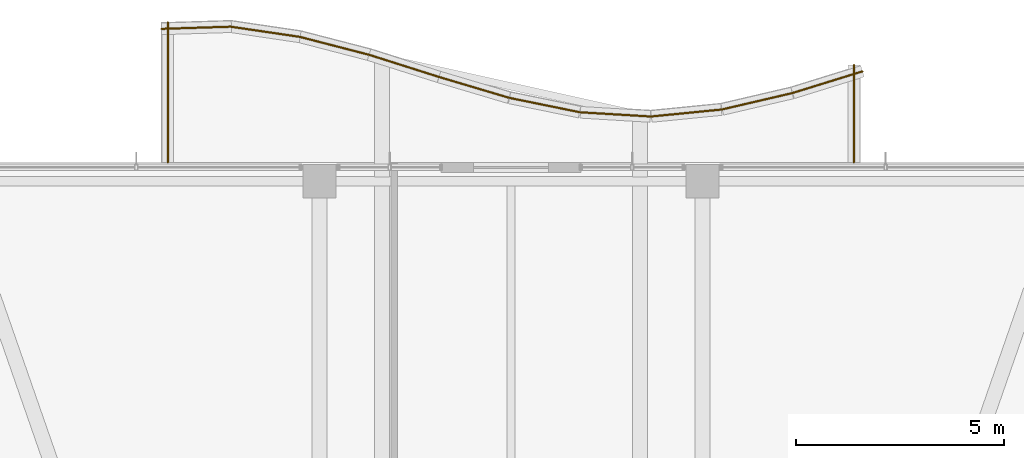
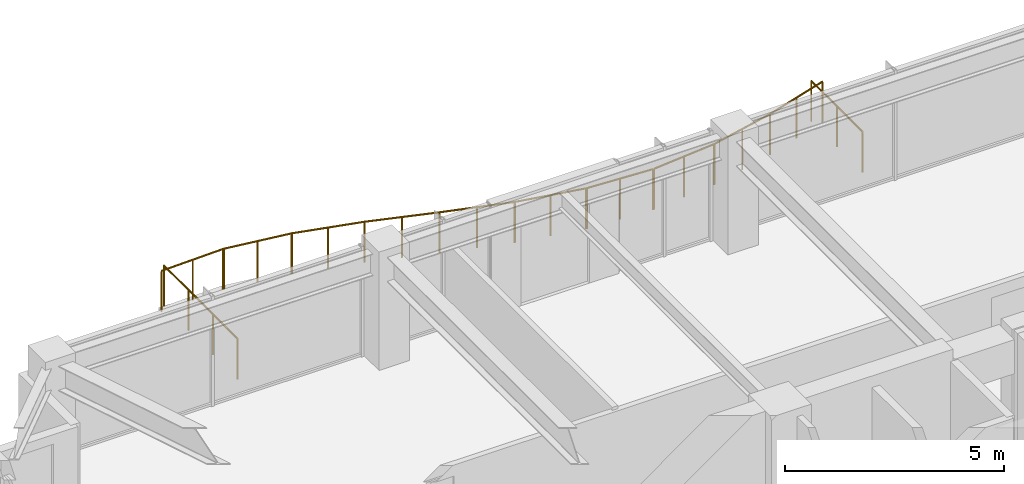
# One storey, part 36 of 36: 12 railings.
"""IFC4 building model written with IfcOpenShell, lengths in metres."""

from ifc_helpers import new_model, si_unit, direction, frame, origin, origin_2d, place, context, subcontext, project, spatial, circle, extrude, material, type_object, element, save


model = new_model("IFC4")

# Units and contexts
model_context = context("Model", 3, precision=1e-05, world=origin(), true_north=direction((0.0, 1.0)))
body_context = subcontext(model_context, "Body", "Model", "MODEL_VIEW")
ifc_project = project(units=[si_unit("LENGTHUNIT", "METRE"), si_unit("AREAUNIT", "SQUARE_METRE"), si_unit("VOLUMEUNIT", "CUBIC_METRE"), si_unit("PLANEANGLEUNIT", "RADIAN"), si_unit("MASSUNIT", "GRAM", prefix="KILO")], contexts=[model_context])

# Site, building, storey
site_placement = place(None, origin())
site = spatial("IfcSite", under=ifc_project, at=site_placement, CompositionType="ELEMENT")
building_placement = place(site_placement, origin())
building = spatial("IfcBuilding", under=site, at=building_placement, Name="Kolvaren Belvedere", CompositionType="ELEMENT")
storey_placement = place(building_placement, frame((0.0, 0.0, 193.199951171875)))
storey = spatial("IfcBuildingStorey", under=building, at=storey_placement, Name="L56", CompositionType="ELEMENT", Elevation=193.199951171875)

# Railings
ifc_material = material(Name="Anodised pale-metal aluminium & laminated glass guard", Category="aluminium")
railing_type = type_object("IfcRailingType", Name="RL-GUARD-1150", PredefinedType="GUARDRAIL", material=ifc_material)
railing_1_placement = place(storey_placement, frame((8.239990234375, 20.39990234375, 0.380126953125)))
element("IfcRailing", 1, at=railing_1_placement, inside=storey, type_object=railing_type, Name="L56 Exterior Deck Safety Guard BAL-N-11", PredefinedType="GUARDRAIL", context=body_context, shape_type="SweptSolid", body=[
    extrude(circle(Radius=0.02392578125, at=origin_2d()), frame((0.0, 0.0, 1.1259765625), z_axis=(0.0, 1.0, 0.0), x_axis=(-1.0, 0.0, 0.0)), (0.0, 0.0, 1.0), 2.340087890625),
    extrude(circle(Radius=0.02099609375, at=origin_2d()), origin(), (0.0, 0.0, 1.0), 1.101806640625),
    extrude(circle(Radius=0.02099609375, at=origin_2d()), frame((0.0, 1.169921875, 0.0)), (0.0, 0.0, 1.0), 1.101806640625),
    extrude(circle(Radius=0.02099609375, at=origin_2d()), frame((0.0, 2.340087890625, 0.0)), (0.0, 0.0, 1.0), 1.101806640625),
])
railing_2_placement = place(storey_placement, frame((8.447265625, 22.587158203125, 0.380126953125)))
element("IfcRailing", 2, at=railing_2_placement, inside=storey, type_object=railing_type, Name="L56 Exterior Deck Safety Guard BAL-N-12", PredefinedType="GUARDRAIL", context=body_context, shape_type="SweptSolid", body=[
    extrude(circle(Radius=0.02392578125, at=origin_2d()), frame((0.0, 0.0, 1.1259765625), z_axis=(-0.95524013163, -0.295831524561, 0.0), x_axis=(0.295831524561, -0.95524013163, 0.0)), (0.0, 0.0, 1.0), 1.758544921875),
    extrude(circle(Radius=0.02099609375, at=origin_2d()), origin(), (0.0, 0.0, 1.0), 1.101806640625),
    extrude(circle(Radius=0.02099609375, at=origin_2d()), frame((-0.83984375, -0.26025390625, 0.0)), (0.0, 0.0, 1.0), 1.101806640625),
    extrude(circle(Radius=0.02099609375, at=origin_2d()), frame((-1.679931640625, -0.520263671875, 0.0)), (0.0, 0.0, 1.0), 1.101806640625),
])
railing_3_placement = place(storey_placement, frame((6.75634765625, 22.06396484375, 0.380126953125)))
element("IfcRailing", 3, at=railing_3_placement, inside=storey, type_object=railing_type, Name="L56 Exterior Deck Safety Guard BAL-N-13", PredefinedType="GUARDRAIL", context=body_context, shape_type="SweptSolid", body=[
    extrude(circle(Radius=0.02392578125, at=origin_2d()), frame((0.0, 0.0, 1.1259765625), z_axis=(-0.973890253884, -0.227019323824, 0.0), x_axis=(0.227019323824, -0.973890253884, 0.0)), (0.0, 0.0, 1.0), 1.724853515625),
    extrude(circle(Radius=0.02099609375, at=origin_2d()), origin(), (0.0, 0.0, 1.0), 1.101806640625),
    extrude(circle(Radius=0.02099609375, at=origin_2d()), frame((-0.83984375, -0.19580078125, 0.0)), (0.0, 0.0, 1.0), 1.101806640625),
    extrude(circle(Radius=0.02099609375, at=origin_2d()), frame((-1.679931640625, -0.3916015625, 0.0)), (0.0, 0.0, 1.0), 1.101806640625),
])
railing_4_placement = place(storey_placement, frame((5.0556640625, 21.6689453125, 0.380126953125)))
element("IfcRailing", 4, at=railing_4_placement, inside=storey, type_object=railing_type, Name="L56 Exterior Deck Safety Guard BAL-N-14", PredefinedType="GUARDRAIL", context=body_context, shape_type="SweptSolid", body=[
    extrude(circle(Radius=0.02392578125, at=origin_2d()), frame((0.0, 0.0, 1.1259765625), z_axis=(-0.995152499202, -0.098343801694, 0.0), x_axis=(0.098343801694, -0.995152499202, 0.0)), (0.0, 0.0, 1.0), 1.688232421875),
    extrude(circle(Radius=0.02099609375, at=origin_2d()), origin(), (0.0, 0.0, 1.0), 1.101806640625),
    extrude(circle(Radius=0.02099609375, at=origin_2d()), frame((-0.83984375, -0.0830078125, 0.0)), (0.0, 0.0, 1.0), 1.101806640625),
    extrude(circle(Radius=0.02099609375, at=origin_2d()), frame((-1.679931640625, -0.166015625, 0.0)), (0.0, 0.0, 1.0), 1.101806640625),
])
railing_5_placement = place(storey_placement, frame((3.350341796875, 21.50244140625, 0.380126953125)))
element("IfcRailing", 5, at=railing_5_placement, inside=storey, type_object=railing_type, Name="L56 Exterior Deck Safety Guard BAL-N-15", PredefinedType="GUARDRAIL", context=body_context, shape_type="SweptSolid", body=[
    extrude(circle(Radius=0.02392578125, at=origin_2d()), frame((0.0, 0.0, 1.1259765625), z_axis=(-0.998212296378, 0.059767979379, 0.0), x_axis=(-0.059767979379, -0.998212296378, 0.0)), (0.0, 0.0, 1.0), 1.682861328125),
    extrude(circle(Radius=0.02099609375, at=origin_2d()), origin(), (0.0, 0.0, 1.0), 1.101806640625),
    extrude(circle(Radius=0.02099609375, at=origin_2d()), frame((-0.83984375, 0.05029296875, 0.0)), (0.0, 0.0, 1.0), 1.101806640625),
    extrude(circle(Radius=0.02099609375, at=origin_2d()), frame((-1.679931640625, 0.1005859375, 0.0)), (0.0, 0.0, 1.0), 1.101806640625),
])
railing_6_placement = place(storey_placement, frame((1.64794921875, 21.60595703125, 0.380126953125)))
element("IfcRailing", 6, at=railing_6_placement, inside=storey, type_object=railing_type, Name="L56 Exterior Deck Safety Guard BAL-N-16", PredefinedType="GUARDRAIL", context=body_context, shape_type="SweptSolid", body=[
    extrude(circle(Radius=0.02392578125, at=origin_2d()), frame((0.0, 0.0, 1.1259765625), z_axis=(-0.979839912937, 0.199784246163, 0.0), x_axis=(-0.199784246163, -0.979839912937, 0.0)), (0.0, 0.0, 1.0), 1.714599609375),
    extrude(circle(Radius=0.02099609375, at=origin_2d()), origin(), (0.0, 0.0, 1.0), 1.101806640625),
    extrude(circle(Radius=0.02099609375, at=origin_2d()), frame((-0.83984375, 0.17138671875, 0.0)), (0.0, 0.0, 1.0), 1.101806640625),
    extrude(circle(Radius=0.02099609375, at=origin_2d()), frame((-1.679931640625, 0.342529296875, 0.0)), (0.0, 0.0, 1.0), 1.101806640625),
])
railing_7_placement = place(storey_placement, frame((-0.045654296875, 21.951904296875, 0.380126953125)))
element("IfcRailing", 7, at=railing_7_placement, inside=storey, type_object=railing_type, Name="L56 Exterior Deck Safety Guard BAL-N-17", PredefinedType="GUARDRAIL", context=body_context, shape_type="SweptSolid", body=[
    extrude(circle(Radius=0.02392578125, at=origin_2d()), frame((0.0, 0.0, 1.1259765625), z_axis=(-0.95856309129, 0.284880325779, 0.0), x_axis=(-0.284880325779, -0.95856309129, 0.0)), (0.0, 0.0, 1.0), 1.75244140625),
    extrude(circle(Radius=0.02099609375, at=origin_2d()), origin(), (0.0, 0.0, 1.0), 1.101806640625),
    extrude(circle(Radius=0.02099609375, at=origin_2d()), frame((-0.83984375, 0.24951171875, 0.0)), (0.0, 0.0, 1.0), 1.101806640625),
    extrude(circle(Radius=0.02099609375, at=origin_2d()), frame((-1.679931640625, 0.499267578125, 0.0)), (0.0, 0.0, 1.0), 1.101806640625),
])
railing_8_placement = place(storey_placement, frame((-1.728515625, 22.4521484375, 0.380126953125)))
element("IfcRailing", 8, at=railing_8_placement, inside=storey, type_object=railing_type, Name="L56 Exterior Deck Safety Guard BAL-N-18", PredefinedType="GUARDRAIL", context=body_context, shape_type="SweptSolid", body=[
    extrude(circle(Radius=0.02392578125, at=origin_2d()), frame((0.0, 0.0, 1.1259765625), z_axis=(-0.953181954832, 0.302397356111, 0.0), x_axis=(-0.302397356111, -0.953181954832, 0.0)), (0.0, 0.0, 1.0), 1.762451171875),
    extrude(circle(Radius=0.02099609375, at=origin_2d()), origin(), (0.0, 0.0, 1.0), 1.101806640625),
    extrude(circle(Radius=0.02099609375, at=origin_2d()), frame((-0.83984375, 0.2666015625, 0.0)), (0.0, 0.0, 1.0), 1.101806640625),
    extrude(circle(Radius=0.02099609375, at=origin_2d()), frame((-1.679931640625, 0.532958984375, 0.0)), (0.0, 0.0, 1.0), 1.101806640625),
])
railing_9_placement = place(storey_placement, frame((-3.400146484375, 22.982666015625, 0.380126953125)))
element("IfcRailing", 9, at=railing_9_placement, inside=storey, type_object=railing_type, Name="L56 Exterior Deck Safety Guard BAL-N-19", PredefinedType="GUARDRAIL", context=body_context, shape_type="SweptSolid", body=[
    extrude(circle(Radius=0.02392578125, at=origin_2d()), frame((0.0, 0.0, 1.1259765625), z_axis=(-0.968132209145, 0.250439664624, 0.0), x_axis=(-0.250439664624, -0.968132209145, 0.0)), (0.0, 0.0, 1.0), 1.7353515625),
    extrude(circle(Radius=0.02099609375, at=origin_2d()), origin(), (0.0, 0.0, 1.0), 1.101806640625),
    extrude(circle(Radius=0.02099609375, at=origin_2d()), frame((-0.83984375, 0.21728515625, 0.0)), (0.0, 0.0, 1.0), 1.101806640625),
    extrude(circle(Radius=0.02099609375, at=origin_2d()), frame((-1.679931640625, 0.4345703125, 0.0)), (0.0, 0.0, 1.0), 1.101806640625),
])
railing_10_placement = place(storey_placement, frame((-5.063232421875, 23.413818359375, 0.380126953125)))
element("IfcRailing", 10, at=railing_10_placement, inside=storey, type_object=railing_type, Name="L56 Exterior Deck Safety Guard BAL-N-20", PredefinedType="GUARDRAIL", context=body_context, shape_type="SweptSolid", body=[
    extrude(circle(Radius=0.02392578125, at=origin_2d()), frame((0.0, 0.0, 1.1259765625), z_axis=(-0.98929818871, 0.145907826437, 0.0), x_axis=(-0.145907826437, -0.98929818871, 0.0)), (0.0, 0.0, 1.0), 1.6982421875),
    extrude(circle(Radius=0.02099609375, at=origin_2d()), origin(), (0.0, 0.0, 1.0), 1.101806640625),
    extrude(circle(Radius=0.02099609375, at=origin_2d()), frame((-0.840087890625, 0.1240234375, 0.0)), (0.0, 0.0, 1.0), 1.101806640625),
    extrude(circle(Radius=0.02099609375, at=origin_2d()), frame((-1.68017578125, 0.247802734375, 0.0)), (0.0, 0.0, 1.0), 1.101806640625),
])
railing_11_placement = place(storey_placement, frame((-6.715087890625, 23.66015625, 0.380126953125)))
element("IfcRailing", 11, at=railing_11_placement, inside=storey, type_object=railing_type, Name="L56 Exterior Deck Safety Guard BAL-N-21", PredefinedType="GUARDRAIL", context=body_context, shape_type="SweptSolid", body=[
    extrude(circle(Radius=0.02392578125, at=origin_2d()), frame((0.0, 0.0, 1.1259765625), z_axis=(-0.999503107358, -0.031520443874, 0.0), x_axis=(0.031520443874, -0.999503107358, 0.0)), (0.0, 0.0, 1.0), 1.6806640625),
    extrude(circle(Radius=0.02099609375, at=origin_2d()), origin(), (0.0, 0.0, 1.0), 1.101806640625),
    extrude(circle(Radius=0.02099609375, at=origin_2d()), frame((-0.83984375, -0.0263671875, 0.0)), (0.0, 0.0, 1.0), 1.101806640625),
    extrude(circle(Radius=0.02099609375, at=origin_2d()), frame((-1.679931640625, -0.052978515625, 0.0)), (0.0, 0.0, 1.0), 1.101806640625),
])
railing_12_placement = place(storey_placement, frame((-8.239990234375, 23.76708984375, 0.380126953125)))
element("IfcRailing", 12, at=railing_12_placement, inside=storey, type_object=railing_type, Name="L56 Exterior Deck Safety Guard BAL-N-22", PredefinedType="GUARDRAIL", context=body_context, shape_type="SweptSolid", body=[
    extrude(circle(Radius=0.02392578125, at=origin_2d()), frame((0.0, 0.0, 1.1259765625), z_axis=(0.0, -1.0, 0.0), x_axis=(1.0, 0.0, 0.0)), (0.0, 0.0, 1.0), 3.3671875),
    extrude(circle(Radius=0.02099609375, at=origin_2d()), origin(), (0.0, 0.0, 1.0), 1.101806640625),
    extrude(circle(Radius=0.02099609375, at=origin_2d()), frame((0.0, -1.122314453125, 0.0)), (0.0, 0.0, 1.0), 1.101806640625),
    extrude(circle(Radius=0.02099609375, at=origin_2d()), frame((0.0, -2.244873046875, 0.0)), (0.0, 0.0, 1.0), 1.101806640625),
    extrude(circle(Radius=0.02099609375, at=origin_2d()), frame((0.0, -3.3671875, 0.0)), (0.0, 0.0, 1.0), 1.101806640625),
])

save(model, "model.ifc")
